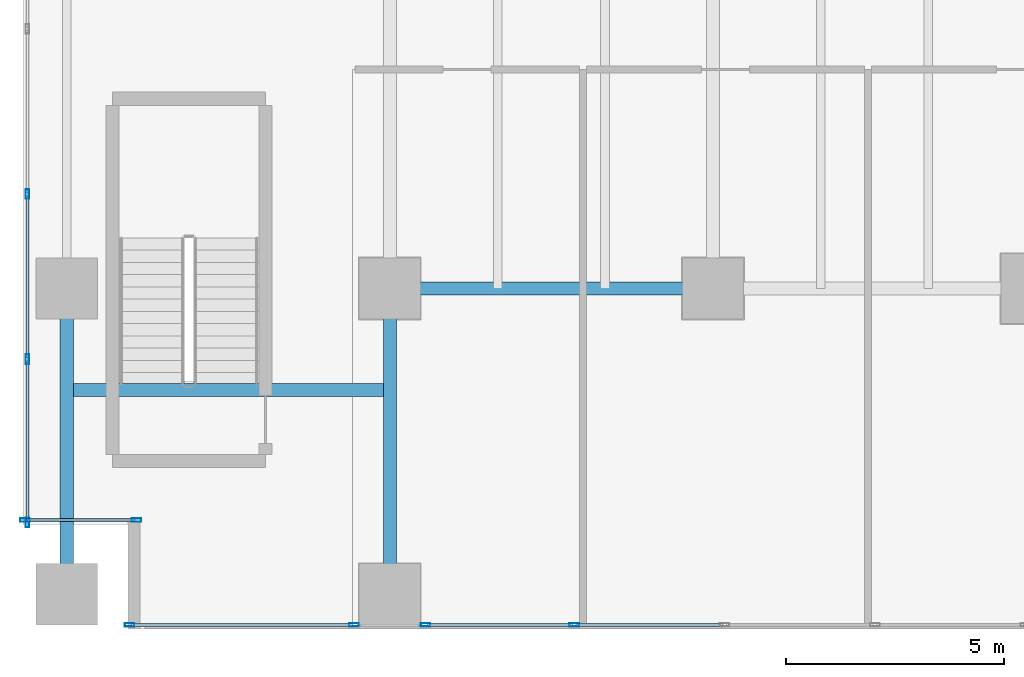
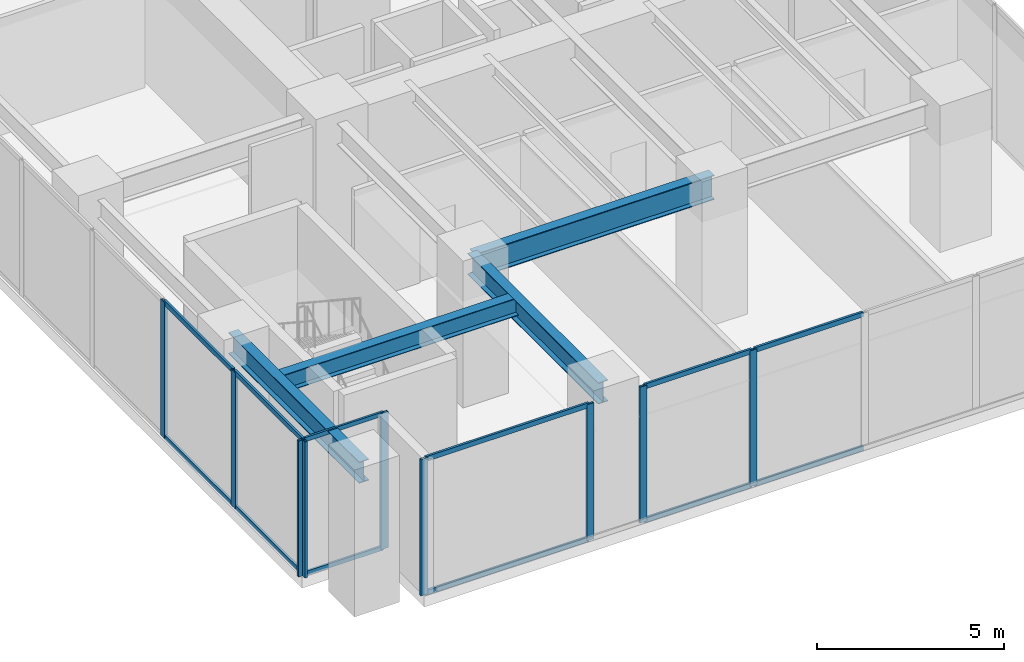
# One storey, part 2 of 33: 21 members, 4 beams, 4 elements without a shape of their own.
"""IFC4 building model written with IfcOpenShell, lengths in metres."""

import ifcopenshell
import ifcopenshell.guid

model = None  # the IFC model being written
_history = None  # IfcOwnerHistory: only IFC2X3 demands one
_inside = {}  # id of a spatial element -> (the spatial element, [elements in it])
_under = {}  # id of a project, library or spatial element -> (it, [spatial elements below it])
_declared = {}  # id of a project -> (the project, [libraries it declares])
_typed = {}  # id of a type object -> (the type object, [elements of that type])
_made_of = {}  # id of a material, layer set ... -> (it, [elements and type objects made of it])


def new_model(schema):
    """Start an empty IFC model of exactly this schema.

    Asked for "IFC4X3", IfcOpenShell would pick the latest addendum, in which some entities
    have other attributes; the version numbers below select the first issue.
    IFC2X3 requires an IfcOwnerHistory on every rooted entity: one is made here for all.
    """
    global model, _history
    if schema == "IFC4X3":
        model = ifcopenshell.file(schema_version=(4, 3, 0, 0))
    else:
        model = ifcopenshell.file(schema=schema)
    _inside.clear()
    _under.clear()
    _declared.clear()
    _typed.clear()
    _made_of.clear()
    _history = None
    if model.schema == "IFC2X3":
        org = make("IfcOrganization", Name="unknown")
        user = make(
            "IfcPersonAndOrganization",
            ThePerson=make("IfcPerson", FamilyName="unknown"),
            TheOrganization=org,
        )
        app = make(
            "IfcApplication",
            ApplicationDeveloper=org,
            Version="unknown",
            ApplicationFullName="unknown",
            ApplicationIdentifier="unknown",
        )
        _history = make(
            "IfcOwnerHistory",
            OwningUser=user,
            OwningApplication=app,
            ChangeAction="ADDED",
            CreationDate=0,
        )
    return model


def make(cls, **values):
    """One entity of the class cls with the attributes given. An attribute that is None is left unset."""
    return model.create_entity(
        cls, **{name: value for name, value in values.items() if value is not None}
    )


def rooted(cls, **values):
    """An entity with a GlobalId (a new one), such as an element, a storey or a relation."""
    return make(cls, GlobalId=ifcopenshell.guid.new(), OwnerHistory=_history, **values)


def si_unit(unit_type, name, prefix=None):
    """IfcSIUnit, for example si_unit("LENGTHUNIT", "METRE", prefix="MILLI")."""
    return make("IfcSIUnit", UnitType=unit_type, Prefix=prefix, Name=name)


def assignment(units):
    """IfcUnitAssignment: the units of a project."""
    return None if units is None else make("IfcUnitAssignment", Units=units)


def point(xyz):
    """IfcCartesianPoint."""
    return None if xyz is None else make("IfcCartesianPoint", Coordinates=xyz)


def direction(xyz):
    """IfcDirection."""
    return None if xyz is None else make("IfcDirection", DirectionRatios=xyz)


def frame(location, z_axis=None, x_axis=None):
    """IfcAxis2Placement3D, a coordinate frame: its origin and axes. An axis left out is left unset."""
    return make(
        "IfcAxis2Placement3D",
        Location=point(location),
        Axis=direction(z_axis),
        RefDirection=direction(x_axis),
    )


def frame_2d(location, x_axis=None):
    """IfcAxis2Placement2D, a coordinate frame in the plane: its origin and x axis."""
    return make(
        "IfcAxis2Placement2D", Location=point(location), RefDirection=direction(x_axis)
    )


def origin():
    """The frame at (0, 0, 0) with its axes left unset."""
    return frame((0.0, 0.0, 0.0))


def origin_2d():
    """The frame at (0, 0) in the plane with its x axis left unset."""
    return frame_2d((0.0, 0.0))


def place(relative_to, where):
    """IfcLocalPlacement: puts the frame where relative to a parent placement (None: the world)."""
    return make(
        "IfcLocalPlacement", PlacementRelTo=relative_to, RelativePlacement=where
    )


def context(
    kind, dimensions, precision=None, world=None, true_north=None, identifier=None
):
    """IfcGeometricRepresentationContext, for example the 3D "Model" context."""
    return make(
        "IfcGeometricRepresentationContext",
        ContextIdentifier=identifier,
        ContextType=kind,
        CoordinateSpaceDimension=dimensions,
        Precision=precision,
        WorldCoordinateSystem=world,
        TrueNorth=true_north,
    )


def subcontext(parent, identifier, kind, view, scale=None):
    """IfcGeometricRepresentationSubContext, for example "Body" below "Model"."""
    return make(
        "IfcGeometricRepresentationSubContext",
        ContextIdentifier=identifier,
        ContextType=kind,
        ParentContext=parent,
        TargetScale=scale,
        TargetView=view,
    )


def project(units=None, contexts=None):
    """IfcProject with its units and contexts."""
    return rooted(
        "IfcProject",
        Name="project",
        RepresentationContexts=contexts,
        UnitsInContext=assignment(units),
    )


def spatial(cls, under=None, at=None, **own):
    """A site, building, storey or space (cls), placed at a placement, below another one or the project."""
    s = rooted(cls, ObjectPlacement=at, **own)
    if under is not None:
        _under.setdefault(under.id(), (under, []))[1].append(s)
    return s


def profile(cls, at=None, kind="AREA", **sizes):
    """A parametric profile (cls). Its sizes go by their IFC names, for example OverallWidth=200.0."""
    return make(cls, ProfileType=kind, Position=at, **sizes)


def hollow_rectangle(**sizes):
    """IfcRectangleHollowProfileDef."""
    return profile("IfcRectangleHollowProfileDef", **sizes)


def i_section(**sizes):
    """IfcIShapeProfileDef."""
    return profile("IfcIShapeProfileDef", **sizes)


def extrude(swept, where, along, depth):
    """IfcExtrudedAreaSolid: the profile swept, set in the frame where, extruded along a direction by depth."""
    return make(
        "IfcExtrudedAreaSolid",
        SweptArea=swept,
        Position=where,
        ExtrudedDirection=direction(along),
        Depth=depth,
    )


def shape(context_of_items, identifier, shape_type, items):
    """IfcShapeRepresentation: the items that make up one representation, for example the "Body"."""
    return make(
        "IfcShapeRepresentation",
        ContextOfItems=context_of_items,
        RepresentationIdentifier=identifier,
        RepresentationType=shape_type,
        Items=items,
    )


def source(mapping_origin, context_of_items, identifier, shape_type, items):
    """IfcRepresentationMap: a shape defined once, which mapped items show again and again."""
    return make(
        "IfcRepresentationMap",
        MappingOrigin=mapping_origin,
        MappedRepresentation=shape(context_of_items, identifier, shape_type, items),
    )


def transform(
    local_origin,
    x_axis=None,
    y_axis=None,
    z_axis=None,
    scale=None,
    scale2=None,
    scale3=None,
    uniform=True,
):
    """IfcCartesianTransformationOperator3D, or its non-uniform kind. x_axis, y_axis, z_axis: its Axis1, 2, 3."""
    if uniform:
        return make(
            "IfcCartesianTransformationOperator3D",
            Axis1=direction(x_axis),
            Axis2=direction(y_axis),
            LocalOrigin=point(local_origin),
            Scale=scale,
            Axis3=direction(z_axis),
        )
    return make(
        "IfcCartesianTransformationOperator3DnonUniform",
        Axis1=direction(x_axis),
        Axis2=direction(y_axis),
        LocalOrigin=point(local_origin),
        Scale=scale,
        Axis3=direction(z_axis),
        Scale2=scale2,
        Scale3=scale3,
    )


def mapped(mapping_source, mapping_target):
    """IfcMappedItem: shows the shape of a source again, moved by a transform."""
    return make(
        "IfcMappedItem", MappingSource=mapping_source, MappingTarget=mapping_target
    )


def material(Name=None, Category=None):
    """IfcMaterial."""
    return make("IfcMaterial", Name=Name, Category=Category)


def layer(
    of_material, thickness, ventilated=None, Name=None, Category=None, Priority=None
):
    """IfcMaterialLayer: one layer of a wall or slab, of a material (None: an air gap)."""
    return make(
        "IfcMaterialLayer",
        Material=of_material,
        LayerThickness=thickness,
        IsVentilated=ventilated,
        Name=Name,
        Category=Category,
        Priority=Priority,
    )


def layer_set(layers, Name=None):
    """IfcMaterialLayerSet."""
    return make("IfcMaterialLayerSet", MaterialLayers=layers, LayerSetName=Name)


def material_profile(
    of_material, cross_section, Name=None, Category=None, Priority=None
):
    """IfcMaterialProfile: a cross section and its material."""
    return make(
        "IfcMaterialProfile",
        Name=Name,
        Material=of_material,
        Profile=cross_section,
        Priority=Priority,
        Category=Category,
    )


def profile_set(profiles, Name=None, composite=None):
    """IfcMaterialProfileSet."""
    return make(
        "IfcMaterialProfileSet",
        Name=Name,
        MaterialProfiles=profiles,
        CompositeProfile=composite,
    )


def made_of(thing, what):
    """Note that an element or type object is made of a material, layer set ...; save() writes the relation."""
    if what is not None:
        _made_of.setdefault(what.id(), (what, []))[1].append(thing)
    return thing


def type_object(cls, material=None, **own):
    """A type object (cls), such as IfcWallType, which elements share."""
    return made_of(rooted(cls, **own), material)


def type_shapes(of_type, sources):
    """Give a type object the sources (RepresentationMaps) that its elements show as mapped items."""
    of_type.RepresentationMaps = sources


def element(
    cls,
    number,
    at=None,
    inside=None,
    cuts=None,
    type_object=None,
    material=None,
    context=None,
    identifier="Body",
    shape_type=None,
    held_by="IfcProductDefinitionShape",
    body=None,
    shapes=None,
    **own,
):
    """One element of the class cls, such as IfcWall. Its Tag is "e" and its number.

    at: its placement. inside: the storey or other place that contains it. cuts: it is an
    opening in that element (IfcRelVoidsElement). A single representation is given by context,
    identifier, shape_type and body (its items); several are given by shapes. held_by: the class
    of the entity that holds the representations. save() writes the other relations.
    """
    e = rooted(cls, Tag="e%d" % number, ObjectPlacement=at, **own)
    if body is not None:
        shapes = [shape(context, identifier, shape_type, body)]
    if shapes is not None:
        e.Representation = make(held_by, Representations=shapes)
    if inside is not None:
        _inside.setdefault(inside.id(), (inside, []))[1].append(e)
    if cuts is not None:
        rooted(
            "IfcRelVoidsElement", RelatingBuildingElement=cuts, RelatedOpeningElement=e
        )
    if type_object is not None:
        _typed.setdefault(type_object.id(), (type_object, []))[1].append(e)
    return made_of(e, material)


def aggregate(whole, parts):
    """IfcRelAggregates: a whole, such as a stair, and the parts it consists of."""
    return rooted("IfcRelAggregates", RelatingObject=whole, RelatedObjects=parts)


def save(model, path):
    """Write the relations noted so far, then the file.

    IfcRelAggregates (storeys below a building ...), IfcRelContainedInSpatialStructure (elements
    in a storey), IfcRelDefinesByType, IfcRelAssociatesMaterial and IfcRelDeclares: one each for
    every whole, place, type object, material and project.
    """
    for whole, parts in _under.values():
        aggregate(whole, parts)
    for where, things in _inside.values():
        rooted(
            "IfcRelContainedInSpatialStructure",
            RelatedElements=things,
            RelatingStructure=where,
        )
    for kind, things in _typed.values():
        rooted("IfcRelDefinesByType", RelatedObjects=things, RelatingType=kind)
    for what, things in _made_of.values():
        rooted("IfcRelAssociatesMaterial", RelatedObjects=things, RelatingMaterial=what)
    for by, libraries in _declared.values():
        rooted("IfcRelDeclares", RelatingContext=by, RelatedDefinitions=libraries)
    model.write(path)


model = new_model("IFC4")

# Units and contexts
model_context = context("Model", 3, precision=1e-05, world=origin(), true_north=direction((0.0, 1.0)))
body_context = subcontext(model_context, "Body", "Model", "MODEL_VIEW")
ifc_project = project(units=[si_unit("LENGTHUNIT", "METRE"), si_unit("AREAUNIT", "SQUARE_METRE"), si_unit("VOLUMEUNIT", "CUBIC_METRE"), si_unit("PLANEANGLEUNIT", "RADIAN"), si_unit("MASSUNIT", "GRAM", prefix="KILO")], contexts=[model_context])

# Site, building, storey
site_placement = place(None, origin())
site = spatial("IfcSite", under=ifc_project, at=site_placement, CompositionType="ELEMENT")
building_placement = place(site_placement, origin())
building = spatial("IfcBuilding", under=site, at=building_placement, Name="Haelvirn Gate Laboratories", CompositionType="ELEMENT")
storey_placement = place(building_placement, frame((0.0, 0.0, 10.199951171875)))
storey = spatial("IfcBuildingStorey", under=building, at=storey_placement, Name="L03", CompositionType="ELEMENT", Elevation=10.199951171875)

# Beams
ifc_material_1 = material(Name="Steel SM420", Category="steel")
ifc_material_profile_1 = material_profile(ifc_material_1, i_section(OverallWidth=0.300048828125, OverallDepth=0.800048828125, WebThickness=0.013916015625, FlangeThickness=0.02587890625, at=origin_2d()), Name="H-800x300x14x26")
ifc_profile_set_1 = profile_set([ifc_material_profile_1], Name="Steel SM420")
beam_type_1 = type_object("IfcBeamType", Name="BM-G-800", PredefinedType="BEAM", material=ifc_profile_set_1)
shared_shape_1 = source(origin(), body_context, "Body", "SweptSolid", [
    extrude(i_section(OverallWidth=0.300048828125, OverallDepth=0.800048828125, WebThickness=0.013916015625, FlangeThickness=0.02587890625, at=origin_2d()), origin(), (0.0, 0.0, 1.0), 7.400146484375),
])
type_shapes(beam_type_1, [shared_shape_1])
beam_1_placement = place(storey_placement, frame((7.39990234375, 7.0, 4.050048828125), z_axis=(1.0, 0.0, 0.0), x_axis=(0.0, 1.0, 0.0)))
element("IfcBeam", 1, at=beam_1_placement, inside=storey, type_object=beam_type_1, Name="L03 Primary Girder Y7.0 (7.4-14.8)", PredefinedType="BEAM", context=body_context, shape_type="MappedRepresentation", body=[
    mapped(shared_shape_1, transform((0.0, 0.0, 0.0), scale=1.0)),
])
ifc_material_2 = material(Name="Steel SM355", Category="steel")
ifc_material_profile_2 = material_profile(ifc_material_2, i_section(OverallWidth=0.300048828125, OverallDepth=0.699951171875, WebThickness=0.012939453125, FlangeThickness=0.02392578125, at=origin_2d()), Name="H-700x300x13x24")
ifc_profile_set_2 = profile_set([ifc_material_profile_2], Name="Steel SM355")
beam_type_2 = type_object("IfcBeamType", Name="BM-G-700", PredefinedType="BEAM", material=ifc_profile_set_2)
shared_shape_2 = source(origin(), body_context, "Body", "SweptSolid", [
    extrude(i_section(OverallWidth=0.300048828125, OverallDepth=0.699951171875, WebThickness=0.012939453125, FlangeThickness=0.02392578125, at=origin_2d()), origin(), (0.0, 0.0, 1.0), 7.0),
])
type_shapes(beam_type_2, [shared_shape_2])
for number, where, z_axis, x_axis, name in (
    (2, (0.0, 0.0, 4.10009765625), (0.0, 1.0, 0.0), (-1.0, 0.0, 0.0), "L03 Stair ST3 West Trimmer Girder"),
    (3, (7.39990234375, 0.0, 4.10009765625), (0.0, 1.0, 0.0), (-1.0, 0.0, 0.0), "L03 Stair ST3 East Trimmer Girder"),
):
    element("IfcBeam", number, at=place(storey_placement, frame(where, z_axis=z_axis, x_axis=x_axis)), inside=storey, type_object=beam_type_2, Name=name, PredefinedType="BEAM", context=body_context, shape_type="MappedRepresentation", body=[
        mapped(shared_shape_2, transform((0.0, 0.0, 0.0), scale=1.0)),
    ])
ifc_material_profile_3 = material_profile(ifc_material_2, i_section(OverallWidth=0.300048828125, OverallDepth=0.587890625, WebThickness=0.011962890625, FlangeThickness=0.02001953125, at=origin_2d()), Name="H-588x300x12x20")
ifc_profile_set_3 = profile_set([ifc_material_profile_3], Name="Steel SM355")
beam_type_3 = type_object("IfcBeamType", Name="BM-G-588", PredefinedType="BEAM", material=ifc_profile_set_3)
shared_shape_3 = source(origin(), body_context, "Body", "SweptSolid", [
    extrude(i_section(OverallWidth=0.300048828125, OverallDepth=0.587890625, WebThickness=0.011962890625, FlangeThickness=0.02001953125, at=origin_2d()), origin(), (0.0, 0.0, 1.0), 7.39990234375),
])
type_shapes(beam_type_3, [shared_shape_3])
beam_2_placement = place(storey_placement, frame((0.0, 4.679931640625, 4.156005859375), z_axis=(1.0, 0.0, 0.0), x_axis=(0.0, 1.0, 0.0)))
element("IfcBeam", 4, at=beam_2_placement, inside=storey, type_object=beam_type_3, Name="L03 Stair ST3 Landing Header", PredefinedType="BEAM", context=body_context, shape_type="MappedRepresentation", body=[
    mapped(shared_shape_3, transform((0.0, 0.0, 0.0), scale=1.0)),
])

# Curtain wall, members
ifc_material_3 = material(Name="Anodised bronze unitised aluminium & triple low-E glass", Category="aluminium")
ifc_layer_1 = layer(ifc_material_3, 0.18798828125, Name="CW-SYS-1")
ifc_layer_set_1 = layer_set([ifc_layer_1], Name="Anodised bronze unitised aluminium & triple low-E glass")
curtain_wall_type_1 = type_object("IfcCurtainWallType", Name="CW-SYS-1", PredefinedType="NOTDEFINED", material=ifc_layer_set_1)
curtain_wall_1_placement = place(storey_placement, origin())
curtain_wall_1 = element("IfcCurtainWall", 5, at=curtain_wall_1_placement, inside=storey, type_object=curtain_wall_type_1, Name="L03 Unitised Curtain Wall CW-L03-P0-E00-1-S1", PredefinedType="NOTDEFINED")
ifc_material_4 = material(Name="Extruded aluminium 6063-T6 (anodised bronze)", Category="aluminium")
ifc_material_profile_4 = material_profile(ifc_material_4, hollow_rectangle(XDim=0.070068359375, YDim=0.159912109375, WallThickness=0.0048828125, at=origin_2d()), Name="CWT-160x70x5")
ifc_profile_set_4 = profile_set([ifc_material_profile_4], Name="Extruded aluminium 6063-T6 (anodised bronze)")
member_type_1 = type_object("IfcMemberType", Name="CWT-T160", PredefinedType="USERDEFINED", material=ifc_profile_set_4)
shared_shape_4 = source(origin(), body_context, "Body", "SweptSolid", [
    extrude(hollow_rectangle(XDim=0.070068359375, YDim=0.159912109375, WallThickness=0.0048828125, at=origin_2d()), origin(), (0.0, 0.0, 1.0), 5.06005859375),
])
member_1_placement = place(storey_placement, frame((1.47998046875, -0.699951171875, 0.03515625), z_axis=(1.0, 0.0, 0.0), x_axis=(0.0, 1.0, 0.0)))
member_1 = element("IfcMember", 6, at=member_1_placement, type_object=member_type_1, Name="CW1 transom 1.1", ObjectType="TRANSOM", PredefinedType="USERDEFINED", context=body_context, shape_type="MappedRepresentation", body=[
    mapped(shared_shape_4, transform((0.0, 0.0, 0.0), scale=1.0)),
])
member_2_placement = place(storey_placement, frame((1.47998046875, -0.699951171875, 4.4150390625), z_axis=(1.0, 0.0, 0.0), x_axis=(0.0, 1.0, 0.0)))
member_2 = element("IfcMember", 7, at=member_2_placement, type_object=member_type_1, Name="CW1 transom 1.2", ObjectType="TRANSOM", PredefinedType="USERDEFINED", context=body_context, shape_type="MappedRepresentation", body=[
    mapped(shared_shape_4, transform((0.0, 0.0, 0.0), scale=1.0)),
])

curtain_wall_2_placement = place(storey_placement, origin())
curtain_wall_2 = element("IfcCurtainWall", 8, at=curtain_wall_2_placement, inside=storey, type_object=curtain_wall_type_1, Name="L03 Unitised Curtain Wall CW-L03-P0-E00-1-S2", PredefinedType="NOTDEFINED")
shared_shape_5 = source(origin(), body_context, "Body", "SweptSolid", [
    extrude(hollow_rectangle(XDim=0.070068359375, YDim=0.159912109375, WallThickness=0.0048828125, at=origin_2d()), origin(), (0.0, 0.0, 1.0), 3.323974609375),
])
member_3_placement = place(storey_placement, frame((8.260009765625, -0.699951171875, 0.03515625), z_axis=(1.0, 0.0, 0.0), x_axis=(0.0, 1.0, 0.0)))
member_3 = element("IfcMember", 9, at=member_3_placement, type_object=member_type_1, Name="CW1 transom 1.1", ObjectType="TRANSOM", PredefinedType="USERDEFINED", context=body_context, shape_type="MappedRepresentation", body=[
    mapped(shared_shape_5, transform((0.0, 0.0, 0.0), scale=1.0)),
])
member_4_placement = place(storey_placement, frame((8.260009765625, -0.699951171875, 4.4150390625), z_axis=(1.0, 0.0, 0.0), x_axis=(0.0, 1.0, 0.0)))
member_4 = element("IfcMember", 10, at=member_4_placement, type_object=member_type_1, Name="CW1 transom 1.2", ObjectType="TRANSOM", PredefinedType="USERDEFINED", context=body_context, shape_type="MappedRepresentation", body=[
    mapped(shared_shape_5, transform((0.0, 0.0, 0.0), scale=1.0)),
])
shared_shape_6 = source(origin(), body_context, "Body", "SweptSolid", [
    extrude(hollow_rectangle(XDim=0.070068359375, YDim=0.159912109375, WallThickness=0.0048828125, at=origin_2d()), origin(), (0.0, 0.0, 1.0), 3.364013671875),
])
member_5_placement = place(storey_placement, frame((11.6640625, -0.699951171875, 0.03515625), z_axis=(1.0, 0.0, 0.0), x_axis=(0.0, 1.0, 0.0)))
member_5 = element("IfcMember", 11, at=member_5_placement, type_object=member_type_1, Name="CW1 transom 2.1", ObjectType="TRANSOM", PredefinedType="USERDEFINED", context=body_context, shape_type="MappedRepresentation", body=[
    mapped(shared_shape_6, transform((0.0, 0.0, 0.0), scale=1.0)),
])
member_6_placement = place(storey_placement, frame((11.6640625, -0.699951171875, 4.4150390625), z_axis=(1.0, 0.0, 0.0), x_axis=(0.0, 1.0, 0.0)))
member_6 = element("IfcMember", 12, at=member_6_placement, type_object=member_type_1, Name="CW1 transom 2.2", ObjectType="TRANSOM", PredefinedType="USERDEFINED", context=body_context, shape_type="MappedRepresentation", body=[
    mapped(shared_shape_6, transform((0.0, 0.0, 0.0), scale=1.0)),
])

ifc_layer_2 = layer(ifc_material_3, 0.181884765625, Name="CW-SYS-5")
ifc_layer_set_2 = layer_set([ifc_layer_2], Name="Anodised bronze unitised aluminium & triple low-E glass")
curtain_wall_type_2 = type_object("IfcCurtainWallType", Name="CW-SYS-5", PredefinedType="NOTDEFINED", material=ifc_layer_set_2)
curtain_wall_3_placement = place(storey_placement, origin())
curtain_wall_3 = element("IfcCurtainWall", 13, at=curtain_wall_3_placement, inside=storey, type_object=curtain_wall_type_2, Name="L03 Unitised Curtain Wall CW-L03-P0-E06-1", PredefinedType="NOTDEFINED")
ifc_material_profile_5 = material_profile(ifc_material_4, hollow_rectangle(XDim=0.06494140625, YDim=0.139892578125, WallThickness=0.00390625, at=origin_2d()), Name="CWT-140x65x4")
ifc_profile_set_5 = profile_set([ifc_material_profile_5], Name="Extruded aluminium 6063-T6 (anodised bronze)")
member_type_2 = type_object("IfcMemberType", Name="CWT-T140", PredefinedType="USERDEFINED", material=ifc_profile_set_5)
shared_shape_7 = source(origin(), body_context, "Body", "SweptSolid", [
    extrude(hollow_rectangle(XDim=0.06494140625, YDim=0.139892578125, WallThickness=0.00390625, at=origin_2d()), origin(), (0.0, 0.0, 1.0), 2.47998046875),
])
type_shapes(member_type_2, [shared_shape_7])
member_7_placement = place(storey_placement, frame((-0.919921875, 1.699951171875, 0.032470703125), z_axis=(1.0, 0.0, 0.0), x_axis=(0.0, 1.0, 0.0)))
member_7 = element("IfcMember", 14, at=member_7_placement, type_object=member_type_2, Name="CW5 transom 1.1", ObjectType="TRANSOM", PredefinedType="USERDEFINED", context=body_context, shape_type="MappedRepresentation", body=[
    mapped(shared_shape_7, transform((0.0, 0.0, 0.0), scale=1.0)),
])
member_8_placement = place(storey_placement, frame((-0.919921875, 1.699951171875, 4.41748046875), z_axis=(1.0, 0.0, 0.0), x_axis=(0.0, 1.0, 0.0)))
member_8 = element("IfcMember", 15, at=member_8_placement, type_object=member_type_2, Name="CW5 transom 1.2", ObjectType="TRANSOM", PredefinedType="USERDEFINED", context=body_context, shape_type="MappedRepresentation", body=[
    mapped(shared_shape_7, transform((0.0, 0.0, 0.0), scale=1.0)),
])

curtain_wall_4_placement = place(storey_placement, origin())
curtain_wall_4 = element("IfcCurtainWall", 16, at=curtain_wall_4_placement, inside=storey, type_object=curtain_wall_type_1, Name="L03 Unitised Curtain Wall CW-L03-P0-E05", PredefinedType="NOTDEFINED")
shared_shape_8 = source(origin(), body_context, "Body", "SweptSolid", [
    extrude(hollow_rectangle(XDim=0.070068359375, YDim=0.159912109375, WallThickness=0.0048828125, at=origin_2d()), origin(), (0.0, 0.0, 1.0), 3.663330078125),
])
member_9_placement = place(storey_placement, frame((-0.89990234375, 5.34326171875, 0.03515625), z_axis=(0.0, -1.0, 0.0), x_axis=(1.0, 0.0, 0.0)))
member_9 = element("IfcMember", 17, at=member_9_placement, type_object=member_type_1, Name="CW1 transom 12.1", ObjectType="TRANSOM", PredefinedType="USERDEFINED", context=body_context, shape_type="MappedRepresentation", body=[
    mapped(shared_shape_8, transform((0.0, 0.0, 0.0), scale=1.0)),
])
member_10_placement = place(storey_placement, frame((-0.89990234375, 5.34326171875, 4.4150390625), z_axis=(0.0, -1.0, 0.0), x_axis=(1.0, 0.0, 0.0)))
member_10 = element("IfcMember", 18, at=member_10_placement, type_object=member_type_1, Name="CW1 transom 12.2", ObjectType="TRANSOM", PredefinedType="USERDEFINED", context=body_context, shape_type="MappedRepresentation", body=[
    mapped(shared_shape_8, transform((0.0, 0.0, 0.0), scale=1.0)),
])
shared_shape_9 = source(origin(), body_context, "Body", "SweptSolid", [
    extrude(hollow_rectangle(XDim=0.070068359375, YDim=0.159912109375, WallThickness=0.0048828125, at=origin_2d()), origin(), (0.0, 0.0, 1.0), 3.703369140625),
])
type_shapes(member_type_1, [shared_shape_4, shared_shape_5, shared_shape_6, shared_shape_8, shared_shape_9])
member_11_placement = place(storey_placement, frame((-0.89990234375, 9.126708984375, 0.03515625), z_axis=(0.0, -1.0, 0.0), x_axis=(1.0, 0.0, 0.0)))
member_11 = element("IfcMember", 19, at=member_11_placement, type_object=member_type_1, Name="CW1 transom 11.1", ObjectType="TRANSOM", PredefinedType="USERDEFINED", context=body_context, shape_type="MappedRepresentation", body=[
    mapped(shared_shape_9, transform((0.0, 0.0, 0.0), scale=1.0)),
])
member_12_placement = place(storey_placement, frame((-0.89990234375, 9.126708984375, 4.4150390625), z_axis=(0.0, -1.0, 0.0), x_axis=(1.0, 0.0, 0.0)))
member_12 = element("IfcMember", 20, at=member_12_placement, type_object=member_type_1, Name="CW1 transom 11.2", ObjectType="TRANSOM", PredefinedType="USERDEFINED", context=body_context, shape_type="MappedRepresentation", body=[
    mapped(shared_shape_9, transform((0.0, 0.0, 0.0), scale=1.0)),
])

# Member
ifc_material_profile_6 = material_profile(ifc_material_4, hollow_rectangle(XDim=0.080078125, YDim=0.219970703125, WallThickness=0.006103515625, at=origin_2d()), Name="CWM-220x80x6")
ifc_profile_set_6 = profile_set([ifc_material_profile_6], Name="Extruded aluminium 6063-T6 (anodised bronze)")
member_type_3 = type_object("IfcMemberType", Name="CWM-T220", PredefinedType="MULLION", material=ifc_profile_set_6)
shared_shape_10 = source(origin(), body_context, "Body", "SweptSolid", [
    extrude(hollow_rectangle(XDim=0.080078125, YDim=0.219970703125, WallThickness=0.006103515625, at=origin_2d()), origin(), (0.0, 0.0, 1.0), 4.449951171875),
])
type_shapes(member_type_3, [shared_shape_10])
member_13_placement = place(storey_placement, frame((1.43994140625, -0.699951171875, 0.0), z_axis=(0.0, 0.0, 1.0), x_axis=(0.0, 1.0, 0.0)))
member_13 = element("IfcMember", 21, at=member_13_placement, type_object=member_type_3, Name="CW1 mullion 1", PredefinedType="MULLION", context=body_context, shape_type="MappedRepresentation", body=[
    mapped(shared_shape_10, transform((0.0, 0.0, 0.0), scale=1.0)),
])

member_14_placement = place(storey_placement, frame((6.580078125, -0.699951171875, 0.0), z_axis=(0.0, 0.0, 1.0), x_axis=(0.0, 1.0, 0.0)))
member_14 = element("IfcMember", 22, at=member_14_placement, type_object=member_type_3, Name="CW1 mullion 2", PredefinedType="MULLION", context=body_context, shape_type="MappedRepresentation", body=[
    mapped(shared_shape_10, transform((0.0, 0.0, 0.0), scale=1.0)),
])

aggregate(curtain_wall_1, [member_13, member_14, member_1, member_2])

member_15_placement = place(storey_placement, frame((8.219970703125, -0.699951171875, 0.0), z_axis=(0.0, 0.0, 1.0), x_axis=(0.0, 1.0, 0.0)))
member_15 = element("IfcMember", 23, at=member_15_placement, type_object=member_type_3, Name="CW1 mullion 1", PredefinedType="MULLION", context=body_context, shape_type="MappedRepresentation", body=[
    mapped(shared_shape_10, transform((0.0, 0.0, 0.0), scale=1.0)),
])

member_16_placement = place(storey_placement, frame((11.6240234375, -0.699951171875, 0.0), z_axis=(0.0, 0.0, 1.0), x_axis=(0.0, 1.0, 0.0)))
member_16 = element("IfcMember", 24, at=member_16_placement, type_object=member_type_3, Name="CW1 mullion 2", PredefinedType="MULLION", context=body_context, shape_type="MappedRepresentation", body=[
    mapped(shared_shape_10, transform((0.0, 0.0, 0.0), scale=1.0)),
])

aggregate(curtain_wall_2, [member_15, member_16, member_3, member_4, member_5, member_6])

member_17_placement = place(storey_placement, frame((-0.89990234375, 9.166748046875, 0.0), z_axis=(0.0, 0.0, 1.0), x_axis=(1.0, 0.0, 0.0)))
member_17 = element("IfcMember", 25, at=member_17_placement, type_object=member_type_3, Name="CW1 mullion 11", PredefinedType="MULLION", context=body_context, shape_type="MappedRepresentation", body=[
    mapped(shared_shape_10, transform((0.0, 0.0, 0.0), scale=1.0)),
])

member_18_placement = place(storey_placement, frame((-0.89990234375, 5.38330078125, 0.0), z_axis=(0.0, 0.0, 1.0), x_axis=(1.0, 0.0, 0.0)))
member_18 = element("IfcMember", 26, at=member_18_placement, type_object=member_type_3, Name="CW1 mullion 12", PredefinedType="MULLION", context=body_context, shape_type="MappedRepresentation", body=[
    mapped(shared_shape_10, transform((0.0, 0.0, 0.0), scale=1.0)),
])

member_19_placement = place(storey_placement, frame((-0.89990234375, 1.639892578125, 0.0), z_axis=(0.0, 0.0, 1.0), x_axis=(1.0, 0.0, 0.0)))
member_19 = element("IfcMember", 27, at=member_19_placement, type_object=member_type_3, Name="CW1 mullion 13", PredefinedType="MULLION", context=body_context, shape_type="MappedRepresentation", body=[
    mapped(shared_shape_10, transform((0.0, 0.0, 0.0), scale=1.0)),
])

aggregate(curtain_wall_4, [member_17, member_18, member_19, member_11, member_12, member_9, member_10])

member_20_placement = place(storey_placement, frame((-0.9599609375, 1.699951171875, 0.0), z_axis=(0.0, 0.0, 1.0), x_axis=(0.0, 1.0, 0.0)))
member_20 = element("IfcMember", 28, at=member_20_placement, type_object=member_type_3, Name="CW5 mullion 1", PredefinedType="MULLION", context=body_context, shape_type="MappedRepresentation", body=[
    mapped(shared_shape_10, transform((0.0, 0.0, 0.0), scale=1.0)),
])

member_21_placement = place(storey_placement, frame((1.60009765625, 1.699951171875, 0.0), z_axis=(0.0, 0.0, 1.0), x_axis=(0.0, 1.0, 0.0)))
member_21 = element("IfcMember", 29, at=member_21_placement, type_object=member_type_3, Name="CW5 mullion 2", PredefinedType="MULLION", context=body_context, shape_type="MappedRepresentation", body=[
    mapped(shared_shape_10, transform((0.0, 0.0, 0.0), scale=1.0)),
])

aggregate(curtain_wall_3, [member_20, member_21, member_7, member_8])

save(model, "model.ifc")
